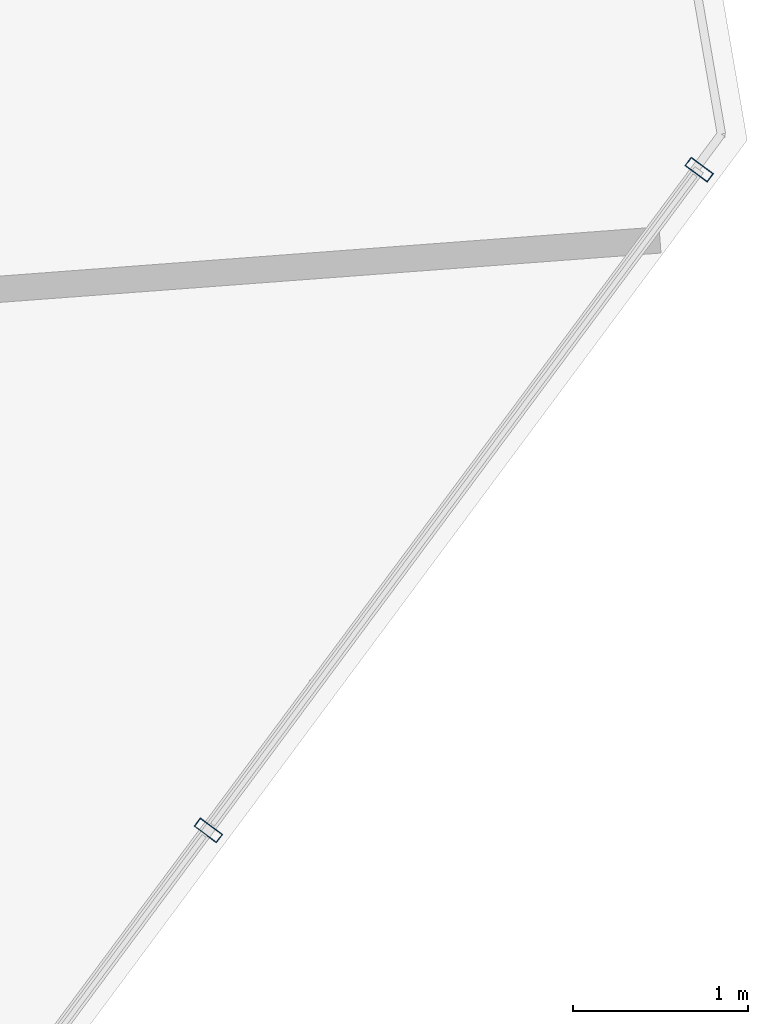
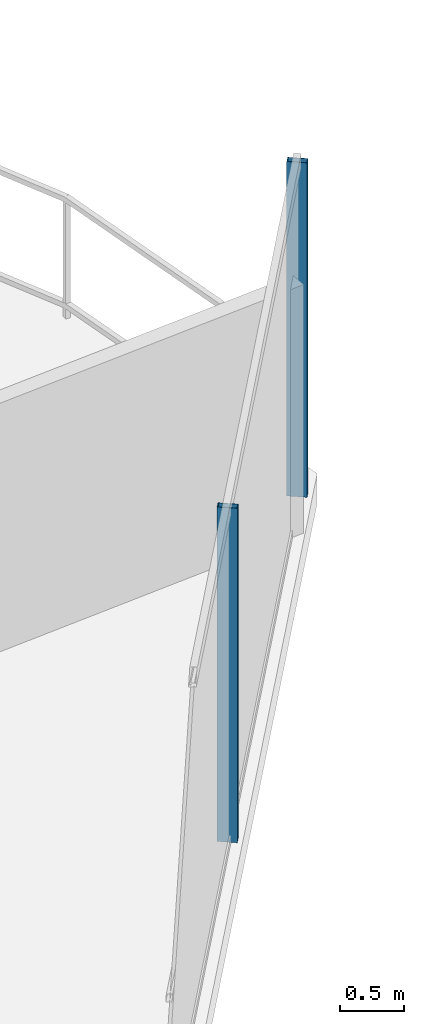
# One storey, part 13 of 28: 2 members, 1 element without a shape of its own.
"""IFC4 building model written with IfcOpenShell, lengths in metres."""

from ifc_helpers import new_model, si_unit, direction, frame, origin, origin_2d, place, context, subcontext, project, spatial, hollow_rectangle, extrude, material, layer, layer_set, material_profile, profile_set, type_object, element, aggregate, save


model = new_model("IFC4")

# Units and contexts
model_context = context("Model", 3, precision=1e-05, world=origin(), true_north=direction((0.0, 1.0)))
body_context = subcontext(model_context, "Body", "Model", "MODEL_VIEW")
ifc_project = project(units=[si_unit("LENGTHUNIT", "METRE"), si_unit("AREAUNIT", "SQUARE_METRE"), si_unit("VOLUMEUNIT", "CUBIC_METRE"), si_unit("PLANEANGLEUNIT", "RADIAN"), si_unit("MASSUNIT", "GRAM", prefix="KILO")], contexts=[model_context])

# Site, building, storey
site_placement = place(None, origin())
site = spatial("IfcSite", under=ifc_project, at=site_placement, CompositionType="ELEMENT")
building_placement = place(site_placement, origin())
building = spatial("IfcBuilding", under=site, at=building_placement, Name="Qarnah Convention Tower", CompositionType="ELEMENT")
storey_placement = place(building_placement, frame((0.0, 0.0, 44.25)))
storey = spatial("IfcBuildingStorey", under=building, at=storey_placement, Name="L10", CompositionType="ELEMENT", Elevation=44.25)

# Curtain wall, members
ifc_material_1 = material(Name="Tempered Low-E dark glass", Category="glass")
ifc_layer = layer(ifc_material_1, 0.16796875)
ifc_layer_set = layer_set([ifc_layer], Name="Tempered Low-E dark glass")
curtain_wall_type = type_object("IfcCurtainWallType", Name="CWS-01", PredefinedType="NOTDEFINED", material=ifc_layer_set)
curtain_wall_placement = place(storey_placement, origin())
curtain_wall = element("IfcCurtainWall", 1, at=curtain_wall_placement, inside=storey, type_object=curtain_wall_type, Name="L10 unitised curtain wall CW-L10-F3", PredefinedType="NOTDEFINED")
ifc_material_2 = material(Name="Black anodised aluminium", Category="aluminium")
ifc_material_profile = material_profile(ifc_material_2, hollow_rectangle(XDim=0.06005859375, YDim=0.159912109375, WallThickness=0.00390625, at=origin_2d()), Name="MUL-60X160")
ifc_profile_set = profile_set([ifc_material_profile], Name="Black anodised aluminium")
member_type = type_object("IfcMemberType", Name="MUL-T1", PredefinedType="MULLION", material=ifc_profile_set)
member_1_placement = place(storey_placement, frame((64.087890625, 28.948974609375, 0.0), z_axis=(0.0, 0.0, 1.0), x_axis=(-0.596356591949, -0.80271963676, 0.0)))
member_1 = element("IfcMember", 2, at=member_1_placement, type_object=member_type, Name="CW-L10-F3 mullion 1", PredefinedType="MULLION", context=body_context, shape_type="SweptSolid", body=[
    extrude(hollow_rectangle(XDim=0.06005859375, YDim=0.159912109375, WallThickness=0.00390625, at=origin_2d()), origin(), (0.0, 0.0, 1.0), 3.169921875),
])
member_2_placement = place(storey_placement, frame((61.281005859375, 25.170654296875, 0.0), z_axis=(0.0, 0.0, 1.0), x_axis=(-0.596356591949, -0.80271963676, 0.0)))
member_2 = element("IfcMember", 3, at=member_2_placement, type_object=member_type, Name="CW-L10-F3 mullion 2", PredefinedType="MULLION", context=body_context, shape_type="SweptSolid", body=[
    extrude(hollow_rectangle(XDim=0.06005859375, YDim=0.159912109375, WallThickness=0.00390625, at=origin_2d()), origin(), (0.0, 0.0, 1.0), 3.169921875),
])
aggregate(curtain_wall, [member_1, member_2])

save(model, "model.ifc")
